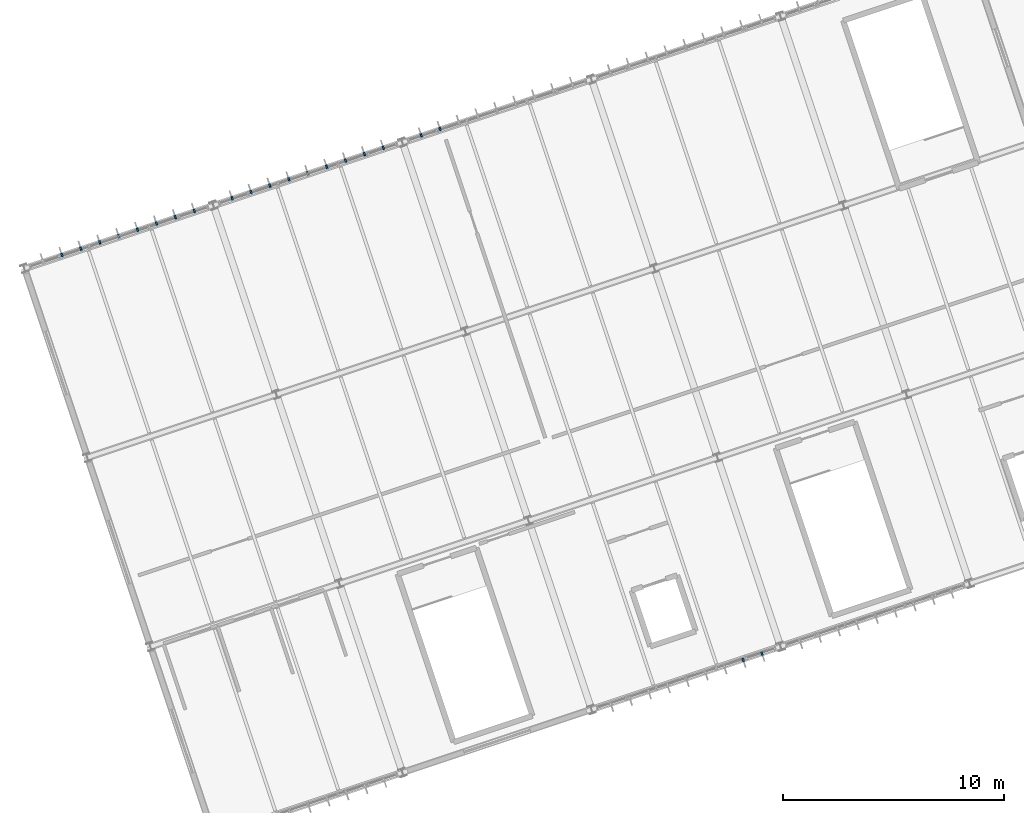
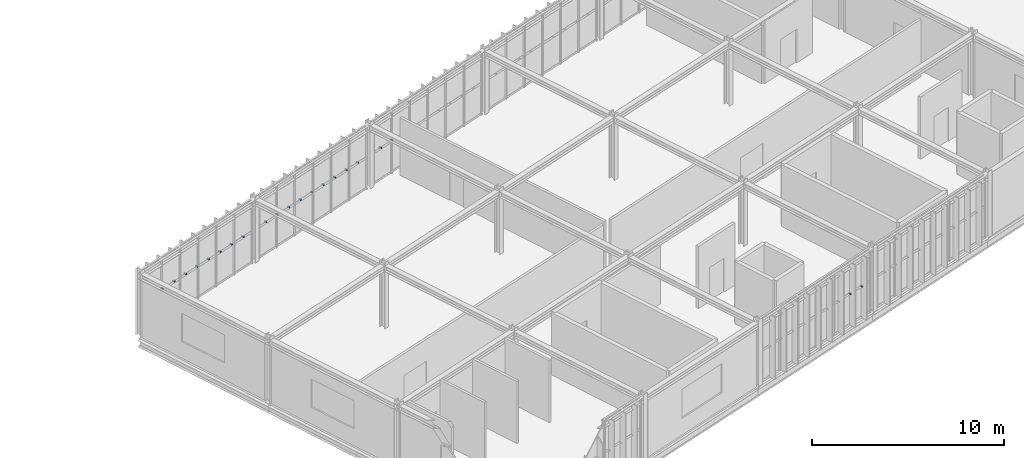
# One storey, part 50 of 61: 21 discrete accessories.
"""IFC4 building model written with IfcOpenShell, lengths in metres."""

import ifcopenshell
import ifcopenshell.guid

model = None  # the IFC model being written
_history = None  # IfcOwnerHistory: only IFC2X3 demands one
_inside = {}  # id of a spatial element -> (the spatial element, [elements in it])
_under = {}  # id of a project, library or spatial element -> (it, [spatial elements below it])
_declared = {}  # id of a project -> (the project, [libraries it declares])
_typed = {}  # id of a type object -> (the type object, [elements of that type])
_made_of = {}  # id of a material, layer set ... -> (it, [elements and type objects made of it])


def new_model(schema):
    """Start an empty IFC model of exactly this schema.

    Asked for "IFC4X3", IfcOpenShell would pick the latest addendum, in which some entities
    have other attributes; the version numbers below select the first issue.
    IFC2X3 requires an IfcOwnerHistory on every rooted entity: one is made here for all.
    """
    global model, _history
    if schema == "IFC4X3":
        model = ifcopenshell.file(schema_version=(4, 3, 0, 0))
    else:
        model = ifcopenshell.file(schema=schema)
    _inside.clear()
    _under.clear()
    _declared.clear()
    _typed.clear()
    _made_of.clear()
    _history = None
    if model.schema == "IFC2X3":
        org = make("IfcOrganization", Name="unknown")
        user = make(
            "IfcPersonAndOrganization",
            ThePerson=make("IfcPerson", FamilyName="unknown"),
            TheOrganization=org,
        )
        app = make(
            "IfcApplication",
            ApplicationDeveloper=org,
            Version="unknown",
            ApplicationFullName="unknown",
            ApplicationIdentifier="unknown",
        )
        _history = make(
            "IfcOwnerHistory",
            OwningUser=user,
            OwningApplication=app,
            ChangeAction="ADDED",
            CreationDate=0,
        )
    return model


def make(cls, **values):
    """One entity of the class cls with the attributes given. An attribute that is None is left unset."""
    return model.create_entity(
        cls, **{name: value for name, value in values.items() if value is not None}
    )


def rooted(cls, **values):
    """An entity with a GlobalId (a new one), such as an element, a storey or a relation."""
    return make(cls, GlobalId=ifcopenshell.guid.new(), OwnerHistory=_history, **values)


def si_unit(unit_type, name, prefix=None):
    """IfcSIUnit, for example si_unit("LENGTHUNIT", "METRE", prefix="MILLI")."""
    return make("IfcSIUnit", UnitType=unit_type, Prefix=prefix, Name=name)


def derived_unit(unit_type, elements):
    """IfcDerivedUnit: a product of units, each with its exponent."""
    return make(
        "IfcDerivedUnit",
        Elements=[
            make("IfcDerivedUnitElement", Unit=unit, Exponent=power)
            for unit, power in elements
        ],
        UnitType=unit_type,
    )


def assignment(units):
    """IfcUnitAssignment: the units of a project."""
    return None if units is None else make("IfcUnitAssignment", Units=units)


def point(xyz):
    """IfcCartesianPoint."""
    return None if xyz is None else make("IfcCartesianPoint", Coordinates=xyz)


def direction(xyz):
    """IfcDirection."""
    return None if xyz is None else make("IfcDirection", DirectionRatios=xyz)


def frame(location, z_axis=None, x_axis=None):
    """IfcAxis2Placement3D, a coordinate frame: its origin and axes. An axis left out is left unset."""
    return make(
        "IfcAxis2Placement3D",
        Location=point(location),
        Axis=direction(z_axis),
        RefDirection=direction(x_axis),
    )


def frame_2d(location, x_axis=None):
    """IfcAxis2Placement2D, a coordinate frame in the plane: its origin and x axis."""
    return make(
        "IfcAxis2Placement2D", Location=point(location), RefDirection=direction(x_axis)
    )


def origin():
    """The frame at (0, 0, 0) with its axes left unset."""
    return frame((0.0, 0.0, 0.0))


def origin_2d():
    """The frame at (0, 0) in the plane with its x axis left unset."""
    return frame_2d((0.0, 0.0))


def place(relative_to, where):
    """IfcLocalPlacement: puts the frame where relative to a parent placement (None: the world)."""
    return make(
        "IfcLocalPlacement", PlacementRelTo=relative_to, RelativePlacement=where
    )


def context(
    kind, dimensions, precision=None, world=None, true_north=None, identifier=None
):
    """IfcGeometricRepresentationContext, for example the 3D "Model" context."""
    return make(
        "IfcGeometricRepresentationContext",
        ContextIdentifier=identifier,
        ContextType=kind,
        CoordinateSpaceDimension=dimensions,
        Precision=precision,
        WorldCoordinateSystem=world,
        TrueNorth=true_north,
    )


def subcontext(parent, identifier, kind, view, scale=None):
    """IfcGeometricRepresentationSubContext, for example "Body" below "Model"."""
    return make(
        "IfcGeometricRepresentationSubContext",
        ContextIdentifier=identifier,
        ContextType=kind,
        ParentContext=parent,
        TargetScale=scale,
        TargetView=view,
    )


def project(units=None, contexts=None):
    """IfcProject with its units and contexts."""
    return rooted(
        "IfcProject",
        Name="project",
        RepresentationContexts=contexts,
        UnitsInContext=assignment(units),
    )


def spatial(cls, under=None, at=None, **own):
    """A site, building, storey or space (cls), placed at a placement, below another one or the project."""
    s = rooted(cls, ObjectPlacement=at, **own)
    if under is not None:
        _under.setdefault(under.id(), (under, []))[1].append(s)
    return s


def profile(cls, at=None, kind="AREA", **sizes):
    """A parametric profile (cls). Its sizes go by their IFC names, for example OverallWidth=200.0."""
    return make(cls, ProfileType=kind, Position=at, **sizes)


def rectangle(**sizes):
    """IfcRectangleProfileDef."""
    return profile("IfcRectangleProfileDef", **sizes)


def extrude(swept, where, along, depth):
    """IfcExtrudedAreaSolid: the profile swept, set in the frame where, extruded along a direction by depth."""
    return make(
        "IfcExtrudedAreaSolid",
        SweptArea=swept,
        Position=where,
        ExtrudedDirection=direction(along),
        Depth=depth,
    )


def shape(context_of_items, identifier, shape_type, items):
    """IfcShapeRepresentation: the items that make up one representation, for example the "Body"."""
    return make(
        "IfcShapeRepresentation",
        ContextOfItems=context_of_items,
        RepresentationIdentifier=identifier,
        RepresentationType=shape_type,
        Items=items,
    )


def material(Name=None, Category=None):
    """IfcMaterial."""
    return make("IfcMaterial", Name=Name, Category=Category)


def made_of(thing, what):
    """Note that an element or type object is made of a material, layer set ...; save() writes the relation."""
    if what is not None:
        _made_of.setdefault(what.id(), (what, []))[1].append(thing)
    return thing


def type_object(cls, material=None, **own):
    """A type object (cls), such as IfcWallType, which elements share."""
    return made_of(rooted(cls, **own), material)


def element(
    cls,
    number,
    at=None,
    inside=None,
    cuts=None,
    type_object=None,
    material=None,
    context=None,
    identifier="Body",
    shape_type=None,
    held_by="IfcProductDefinitionShape",
    body=None,
    shapes=None,
    **own,
):
    """One element of the class cls, such as IfcWall. Its Tag is "e" and its number.

    at: its placement. inside: the storey or other place that contains it. cuts: it is an
    opening in that element (IfcRelVoidsElement). A single representation is given by context,
    identifier, shape_type and body (its items); several are given by shapes. held_by: the class
    of the entity that holds the representations. save() writes the other relations.
    """
    e = rooted(cls, Tag="e%d" % number, ObjectPlacement=at, **own)
    if body is not None:
        shapes = [shape(context, identifier, shape_type, body)]
    if shapes is not None:
        e.Representation = make(held_by, Representations=shapes)
    if inside is not None:
        _inside.setdefault(inside.id(), (inside, []))[1].append(e)
    if cuts is not None:
        rooted(
            "IfcRelVoidsElement", RelatingBuildingElement=cuts, RelatedOpeningElement=e
        )
    if type_object is not None:
        _typed.setdefault(type_object.id(), (type_object, []))[1].append(e)
    return made_of(e, material)


def aggregate(whole, parts):
    """IfcRelAggregates: a whole, such as a stair, and the parts it consists of."""
    return rooted("IfcRelAggregates", RelatingObject=whole, RelatedObjects=parts)


def save(model, path):
    """Write the relations noted so far, then the file.

    IfcRelAggregates (storeys below a building ...), IfcRelContainedInSpatialStructure (elements
    in a storey), IfcRelDefinesByType, IfcRelAssociatesMaterial and IfcRelDeclares: one each for
    every whole, place, type object, material and project.
    """
    for whole, parts in _under.values():
        aggregate(whole, parts)
    for where, things in _inside.values():
        rooted(
            "IfcRelContainedInSpatialStructure",
            RelatedElements=things,
            RelatingStructure=where,
        )
    for kind, things in _typed.values():
        rooted("IfcRelDefinesByType", RelatedObjects=things, RelatingType=kind)
    for what, things in _made_of.values():
        rooted("IfcRelAssociatesMaterial", RelatedObjects=things, RelatingMaterial=what)
    for by, libraries in _declared.values():
        rooted("IfcRelDeclares", RelatingContext=by, RelatedDefinitions=libraries)
    model.write(path)


model = new_model("IFC4")

# Units and contexts
model_context = context("Model", 3, precision=1e-05, world=origin(), true_north=direction((0.0, 1.0)))
body_context = subcontext(model_context, "Body", "Model", "MODEL_VIEW")
ifc_project = project(units=[si_unit("LENGTHUNIT", "METRE"), si_unit("AREAUNIT", "SQUARE_METRE"), si_unit("VOLUMEUNIT", "CUBIC_METRE"), si_unit("PLANEANGLEUNIT", "RADIAN"), si_unit("MASSUNIT", "GRAM", prefix="KILO"), si_unit("THERMODYNAMICTEMPERATUREUNIT", "KELVIN"), si_unit("TIMEUNIT", "SECOND"), derived_unit("THERMALTRANSMITTANCEUNIT", [(si_unit("MASSUNIT", "GRAM", prefix="KILO"), 1), (si_unit("THERMODYNAMICTEMPERATUREUNIT", "KELVIN"), -1), (si_unit("TIMEUNIT", "SECOND"), -3)])], contexts=[model_context])

# Site, building, storey
site_placement = place(None, origin())
site = spatial("IfcSite", under=ifc_project, at=site_placement, CompositionType="ELEMENT")
building_placement = place(site_placement, origin())
building = spatial("IfcBuilding", under=site, at=building_placement, Name="Cambertide Market Hall", CompositionType="ELEMENT")
storey_placement = place(building_placement, frame((0.0, 0.0, 9.89990234375)))
storey = spatial("IfcBuildingStorey", under=building, at=storey_placement, Name="L03", CompositionType="ELEMENT", Elevation=9.89990234375)

# Discrete accessories
ifc_material = material(Name="Stainless Steel Grade 316", Category="metal")
discrete_accessory_type = type_object("IfcDiscreteAccessoryType", Name="Stainless Fin Outrigger Tie Bracket", PredefinedType="BRACKET", material=ifc_material)
for number, where, z_axis, x_axis, name in (
    (1, (99.15673828125, 38.2216796875, 1.949951171875), (0.0, 0.0, 1.0), (0.948683321523, 0.316227695598, 0.0), "CW-V3N-L03-1 Fin Tie Bracket 2"),
    (2, (100.0107421875, 38.506103515625, 1.949951171875), (0.0, 0.0, 1.0), (0.948683321523, 0.316227695598, 0.0), "CW-V3N-L03-1 Fin Tie Bracket 3"),
    (3, (100.864501953125, 38.790771484375, 1.949951171875), (0.0, 0.0, 1.0), (0.948683321523, 0.316227695598, 0.0), "CW-V3N-L03-1 Fin Tie Bracket 4"),
    (4, (101.71826171875, 39.075439453125, 1.949951171875), (0.0, 0.0, 1.0), (0.948683321523, 0.316227695598, 0.0), "CW-V3N-L03-1 Fin Tie Bracket 5"),
    (5, (102.572021484375, 39.360107421875, 1.949951171875), (0.0, 0.0, 1.0), (0.948683321523, 0.316227695598, 0.0), "CW-V3N-L03-1 Fin Tie Bracket 6"),
    (6, (103.426025390625, 39.64453125, 1.949951171875), (0.0, 0.0, 1.0), (0.948683321523, 0.316227695598, 0.0), "CW-V3N-L03-1 Fin Tie Bracket 7"),
    (7, (104.27978515625, 39.92919921875, 1.949951171875), (0.0, 0.0, 1.0), (0.948683321523, 0.316227695598, 0.0), "CW-V3N-L03-1 Fin Tie Bracket 8"),
    (8, (105.133544921875, 40.2138671875, 1.949951171875), (0.0, 0.0, 1.0), (0.948683321523, 0.316227695598, 0.0), "CW-V3N-L03-1 Fin Tie Bracket 9"),
    (9, (106.841064453125, 40.782958984375, 1.949951171875), (0.0, 0.0, 1.0), (0.948683321523, 0.316227695598, 0.0), "CW-V3N-L03-2 Fin Tie Bracket 1"),
    (10, (107.695068359375, 41.067626953125, 1.949951171875), (0.0, 0.0, 1.0), (0.948683321523, 0.316227695598, 0.0), "CW-V3N-L03-2 Fin Tie Bracket 2"),
    (11, (108.548828125, 41.352294921875, 1.949951171875), (0.0, 0.0, 1.0), (0.948683321523, 0.316227695598, 0.0), "CW-V3N-L03-2 Fin Tie Bracket 3"),
    (12, (109.402587890625, 41.636962890625, 1.949951171875), (0.0, 0.0, 1.0), (0.948683321523, 0.316227695598, 0.0), "CW-V3N-L03-2 Fin Tie Bracket 4"),
    (13, (110.25634765625, 41.92138671875, 1.949951171875), (0.0, 0.0, 1.0), (0.948683321523, 0.316227695598, 0.0), "CW-V3N-L03-2 Fin Tie Bracket 5"),
    (14, (111.1103515625, 42.2060546875, 1.949951171875), (0.0, 0.0, 1.0), (0.948683321523, 0.316227695598, 0.0), "CW-V3N-L03-2 Fin Tie Bracket 6"),
    (15, (111.964111328125, 42.49072265625, 1.949951171875), (0.0, 0.0, 1.0), (0.948683321523, 0.316227695598, 0.0), "CW-V3N-L03-2 Fin Tie Bracket 7"),
    (16, (112.81787109375, 42.775390625, 1.949951171875), (0.0, 0.0, 1.0), (0.948683321523, 0.316227695598, 0.0), "CW-V3N-L03-2 Fin Tie Bracket 8"),
    (17, (113.671630859375, 43.059814453125, 1.949951171875), (0.0, 0.0, 1.0), (0.948683321523, 0.316227695598, 0.0), "CW-V3N-L03-2 Fin Tie Bracket 9"),
    (18, (115.37939453125, 43.629150390625, 1.949951171875), (0.0, 0.0, 1.0), (0.948683274577, 0.316227836438, 0.0), "CW-V3N-L03-3 Fin Tie Bracket 1"),
    (19, (116.233154296875, 43.913818359375, 1.949951171875), (0.0, 0.0, 1.0), (0.948683274577, 0.316227836438, 0.0), "CW-V3N-L03-3 Fin Tie Bracket 2"),
    (20, (130.773193359375, 20.215576171875, 1.949951171875), (0.0, 0.0, 1.0), (-0.948683286311, -0.316227801236, 0.0), "CW-V3S-L03-3 Fin Tie Bracket 1"),
    (21, (129.91943359375, 19.930908203125, 1.949951171875), (0.0, 0.0, 1.0), (-0.948683286311, -0.316227801236, 0.0), "CW-V3S-L03-3 Fin Tie Bracket 2"),
):
    element("IfcDiscreteAccessory", number, at=place(storey_placement, frame(where, z_axis=z_axis, x_axis=x_axis)), inside=storey, type_object=discrete_accessory_type, Name=name, PredefinedType="BRACKET", context=body_context, shape_type="SweptSolid", body=[
        extrude(rectangle(XDim=0.080078125, YDim=0.159912109375, at=origin_2d()), origin(), (0.0, 0.0, 1.0), 0.080078125),
    ])

save(model, "model.ifc")
